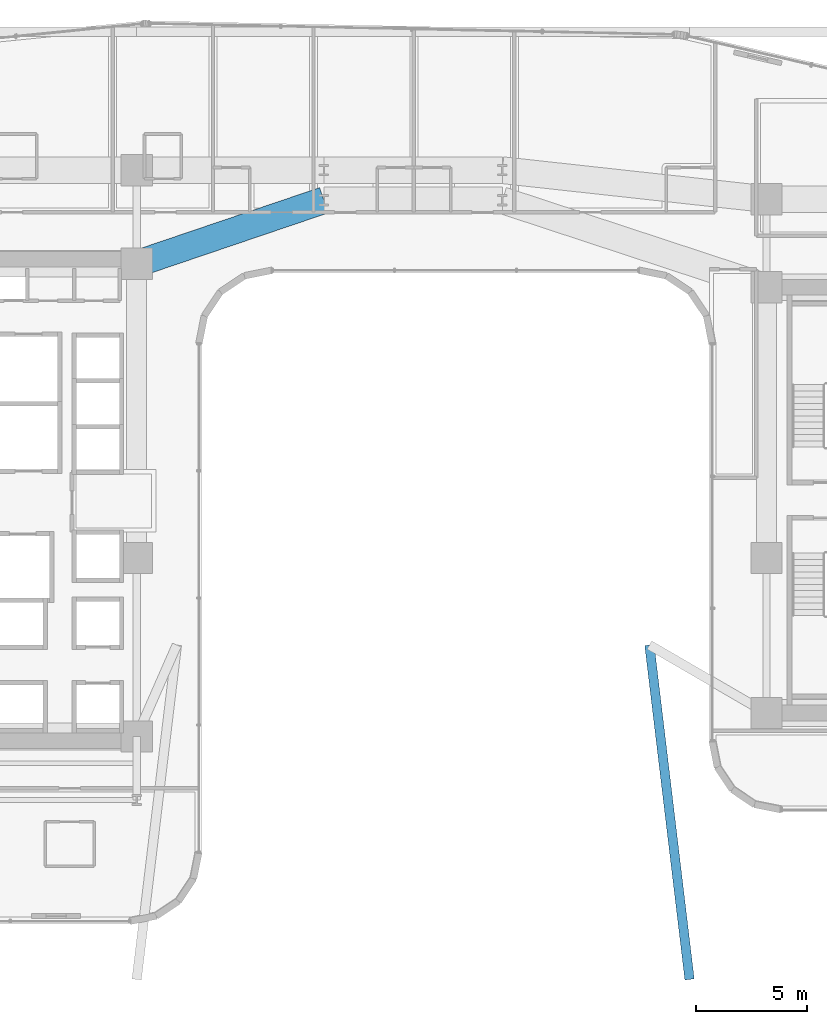
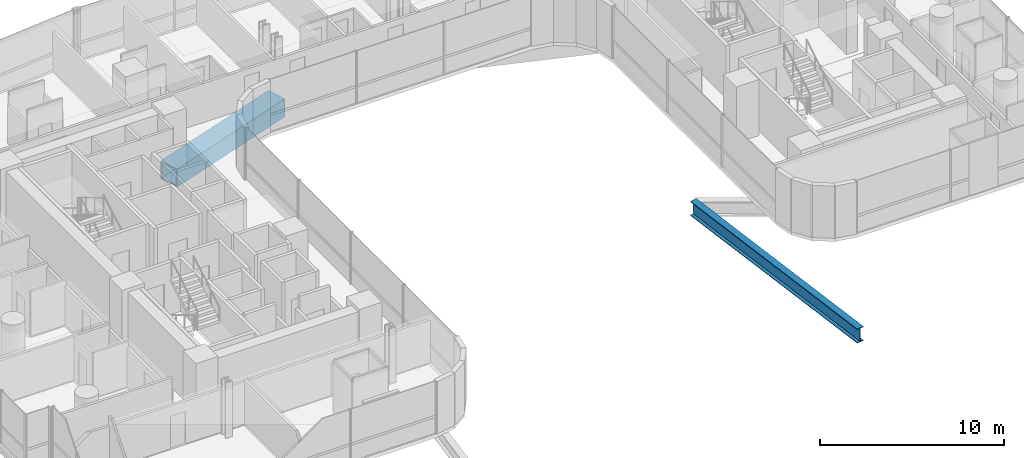
# One storey, part 14 of 50: 2 beams.
"""IFC4 building model written with IfcOpenShell, lengths in metres."""

from ifc_helpers import new_model, si_unit, direction, frame, origin, origin_2d, place, context, subcontext, project, spatial, hollow_rectangle, i_section, extrude, source, transform, mapped, material, material_profile, profile_set, type_object, element, save


model = new_model("IFC4")

# Units and contexts
model_context = context("Model", 3, precision=1e-05, world=origin(), true_north=direction((0.0, 1.0)))
body_context = subcontext(model_context, "Body", "Model", "MODEL_VIEW")
ifc_project = project(units=[si_unit("LENGTHUNIT", "METRE"), si_unit("AREAUNIT", "SQUARE_METRE"), si_unit("VOLUMEUNIT", "CUBIC_METRE"), si_unit("PLANEANGLEUNIT", "RADIAN"), si_unit("MASSUNIT", "GRAM", prefix="KILO")], contexts=[model_context])

# Site, building, storey
site_placement = place(None, origin())
site = spatial("IfcSite", under=ifc_project, at=site_placement, CompositionType="ELEMENT")
building_placement = place(site_placement, origin())
building = spatial("IfcBuilding", under=site, at=building_placement, Name="Valdorenza Pilgrim Sanctuary Tower", CompositionType="ELEMENT")
storey_placement = place(building_placement, frame((0.0, 0.0, 26.0)))
storey = spatial("IfcBuildingStorey", under=building, at=storey_placement, Name="L05", CompositionType="ELEMENT", Elevation=26.0)

# Beams
ifc_material_1 = material(Name="Steel ASTM A992 Grade 50", Category="steel")
ifc_material_profile_1 = material_profile(ifc_material_1, i_section(OverallWidth=0.423095703125, OverallDepth=0.947998046875, WebThickness=0.02392578125, FlangeThickness=0.042724609375, at=origin_2d()), Name="W36X302")
ifc_profile_set_1 = profile_set([ifc_material_profile_1], Name="Steel ASTM A992 Grade 50")
beam_type_1 = type_object("IfcBeamType", Name="STR-BM-GRD-W36A", PredefinedType="BEAM", material=ifc_profile_set_1)
shared_shape_1 = source(origin(), body_context, "Body", "SweptSolid", [
    extrude(i_section(OverallWidth=0.423095703125, OverallDepth=0.947998046875, WebThickness=0.02392578125, FlangeThickness=0.042724609375, at=origin_2d()), origin(), (0.0, 0.0, 1.0), 15.107666015625),
])
beam_1_placement = place(storey_placement, frame((12.39990234375, -21.5, -0.714111328125), z_axis=(-0.119132476027, 0.992878367755, 0.0), x_axis=(-0.992878367755, -0.119132476027, 0.0)))
element("IfcBeam", 1, at=beam_1_placement, inside=storey, type_object=beam_type_1, Name="L05 Floor Girder POD-ARCH-E", PredefinedType="BEAM", context=body_context, shape_type="MappedRepresentation", body=[
    mapped(shared_shape_1, transform((0.0, 0.0, 0.0), x_axis=(1.0, 0.0, 0.0), y_axis=(0.0, 1.0, 0.0), z_axis=(0.0, 0.0, 1.0), scale=1.0)),
])
ifc_material_2 = material(Name="Steel ASTM A572 Grade 42", Category="steel")
ifc_material_profile_2 = material_profile(ifc_material_2, hollow_rectangle(XDim=1.199951171875, YDim=1.199951171875, WallThickness=0.090087890625, at=origin_2d()), Name="BOX 1200x1200x90")
ifc_profile_set_2 = profile_set([ifc_material_profile_2], Name="Steel ASTM A572 Grade 42")
beam_type_2 = type_object("IfcBeamType", Name="STR-BM-TRF-1200", PredefinedType="BEAM", material=ifc_profile_set_2)
shared_shape_2 = source(origin(), body_context, "Body", "SweptSolid", [
    extrude(hollow_rectangle(XDim=1.199951171875, YDim=1.199951171875, WallThickness=0.090087890625, at=origin_2d()), origin(), (0.0, 0.0, 1.0), 8.8701171875),
])
beam_2_placement = place(storey_placement, frame((-12.39990234375, 10.60009765625, -0.840087890625), z_axis=(0.946982588361, 0.321284885018, 0.0), x_axis=(-0.321284885018, 0.946982588361, 0.0)))
element("IfcBeam", 2, at=beam_2_placement, inside=storey, type_object=beam_type_2, Name="L05 Podium Arch Transfer Girder TRF-L05-1", PredefinedType="BEAM", context=body_context, shape_type="MappedRepresentation", body=[
    mapped(shared_shape_2, transform((0.0, 0.0, 0.0), x_axis=(1.0, 0.0, 0.0), y_axis=(0.0, 1.0, 0.0), z_axis=(0.0, 0.0, 1.0), scale=1.0)),
])

save(model, "model.ifc")
